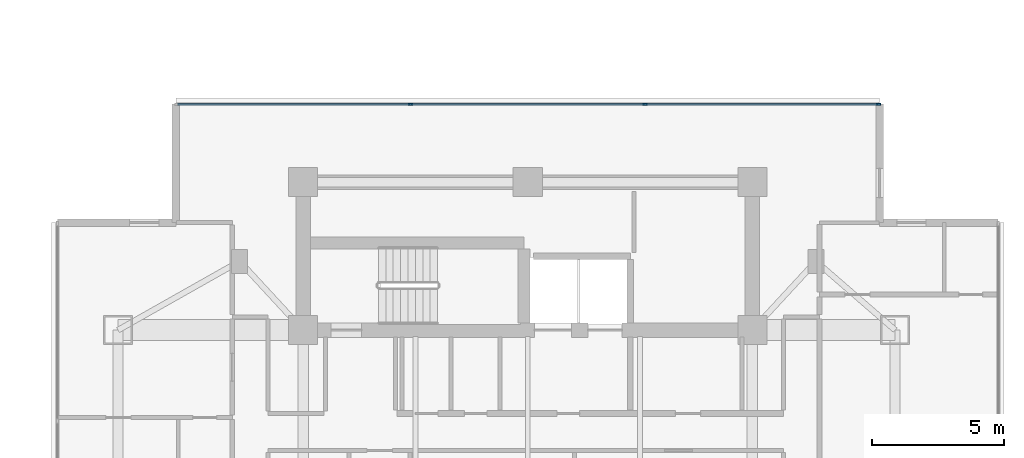
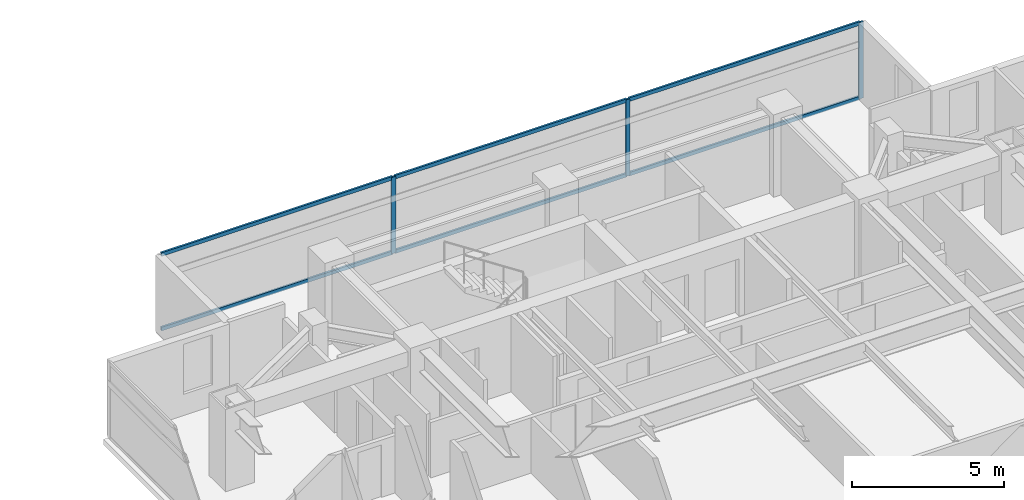
# One storey, part 11 of 25: 9 members, 1 element without a shape of its own.
"""IFC4 building model written with IfcOpenShell, lengths in metres."""

from ifc_helpers import new_model, si_unit, direction, frame, origin, origin_2d, place, context, subcontext, project, spatial, rectangle, extrude, material, material_profile, profile_set, type_object, element, aggregate, save


model = new_model("IFC4")

# Units and contexts
model_context = context("Model", 3, precision=1e-05, world=origin(), true_north=direction((0.0, 1.0)))
body_context = subcontext(model_context, "Body", "Model", "MODEL_VIEW")
ifc_project = project(units=[si_unit("LENGTHUNIT", "METRE"), si_unit("AREAUNIT", "SQUARE_METRE"), si_unit("VOLUMEUNIT", "CUBIC_METRE"), si_unit("PLANEANGLEUNIT", "RADIAN"), si_unit("MASSUNIT", "GRAM", prefix="KILO")], contexts=[model_context])

# Site, building, storey
site_placement = place(None, origin())
site = spatial("IfcSite", under=ifc_project, at=site_placement, CompositionType="ELEMENT")
building_placement = place(site_placement, origin())
building = spatial("IfcBuilding", under=site, at=building_placement, Name="Mirazonda Arch Towers", CompositionType="ELEMENT")
storey_placement = place(building_placement, frame((0.0, 0.0, 131.300048828125)))
storey = spatial("IfcBuildingStorey", under=building, at=storey_placement, Name="L37", CompositionType="ELEMENT", Elevation=131.300048828125)

# Curtain wall, members
ifc_material_1 = material(Name="Anodised Aluminium and Low-E Glass", Category="aluminium")
curtain_wall_type = type_object("IfcCurtainWallType", Name="CW-HTL-UNIT", PredefinedType="NOTDEFINED", material=ifc_material_1)
curtain_wall_placement = place(storey_placement, origin())
curtain_wall = element("IfcCurtainWall", 1, at=curtain_wall_placement, inside=storey, type_object=curtain_wall_type, Name="L37 T2 N Facade CW-L37-T2-N", PredefinedType="NOTDEFINED")
ifc_material_2 = material(Name="Anodised Aluminium Alloy", Category="aluminium")
ifc_material_profile_1 = material_profile(ifc_material_2, rectangle(XDim=0.074951171875, YDim=0.1650390625, at=origin_2d()), Name="ALU-MULL-75x165")
ifc_profile_set_1 = profile_set([ifc_material_profile_1], Name="Anodised Aluminium Alloy")
member_type_1 = type_object("IfcMemberType", Name="MULL-CW-HTL-UNIT", PredefinedType="MULLION", material=ifc_profile_set_1)
member_1_placement = place(storey_placement, frame((72.063232421875, 43.752197265625, 0.0), z_axis=(0.0, 0.0, 1.0), x_axis=(0.0, 1.0, 0.0)))
member_1 = element("IfcMember", 2, at=member_1_placement, type_object=member_type_1, Name="CW-112 mullion 2", PredefinedType="MULLION", context=body_context, shape_type="SweptSolid", body=[
    extrude(rectangle(XDim=0.074951171875, YDim=0.1650390625, at=origin_2d()), origin(), (0.0, 0.0, 1.0), 3.06005859375),
])
member_2_placement = place(storey_placement, frame((80.936767578125, 43.752197265625, 0.0), z_axis=(0.0, 0.0, 1.0), x_axis=(0.0, 1.0, 0.0)))
member_2 = element("IfcMember", 3, at=member_2_placement, type_object=member_type_1, Name="CW-112 mullion 3", PredefinedType="MULLION", context=body_context, shape_type="SweptSolid", body=[
    extrude(rectangle(XDim=0.074951171875, YDim=0.1650390625, at=origin_2d()), origin(), (0.0, 0.0, 1.0), 3.06005859375),
])
member_3_placement = place(storey_placement, frame((89.77294921875, 43.752197265625, 0.0), z_axis=(0.0, 0.0, 1.0), x_axis=(0.0, 1.0, 0.0)))
member_3 = element("IfcMember", 4, at=member_3_placement, type_object=member_type_1, Name="CW-112 mullion 4", PredefinedType="MULLION", context=body_context, shape_type="SweptSolid", body=[
    extrude(rectangle(XDim=0.074951171875, YDim=0.1650390625, at=origin_2d()), origin(), (0.0, 0.0, 1.0), 3.06005859375),
])
ifc_material_profile_2 = material_profile(ifc_material_2, rectangle(XDim=0.074951171875, YDim=0.14501953125, at=origin_2d()), Name="ALU-TRAN-75x145")
ifc_profile_set_2 = profile_set([ifc_material_profile_2], Name="Anodised Aluminium Alloy")
member_type_2 = type_object("IfcMemberType", Name="TRAN-CW-HTL-UNIT", PredefinedType="USERDEFINED", material=ifc_profile_set_2)
member_4_placement = place(storey_placement, frame((63.264404296875, 43.752197265625, 0.037353515625), z_axis=(1.0, 0.0, 0.0), x_axis=(0.0, 1.0, 0.0)))
member_4 = element("IfcMember", 5, at=member_4_placement, type_object=member_type_2, Name="CW-112 transom 1.1", ObjectType="TRANSOM", PredefinedType="USERDEFINED", context=body_context, shape_type="SweptSolid", body=[
    extrude(rectangle(XDim=0.074951171875, YDim=0.14501953125, at=origin_2d()), origin(), (0.0, 0.0, 1.0), 8.76123046875),
])
member_5_placement = place(storey_placement, frame((63.264404296875, 43.752197265625, 3.0224609375), z_axis=(1.0, 0.0, 0.0), x_axis=(0.0, 1.0, 0.0)))
member_5 = element("IfcMember", 6, at=member_5_placement, type_object=member_type_2, Name="CW-112 transom 1.2", ObjectType="TRANSOM", PredefinedType="USERDEFINED", context=body_context, shape_type="SweptSolid", body=[
    extrude(rectangle(XDim=0.074951171875, YDim=0.14501953125, at=origin_2d()), origin(), (0.0, 0.0, 1.0), 8.76123046875),
])
member_6_placement = place(storey_placement, frame((72.1005859375, 43.752197265625, 0.037353515625), z_axis=(1.0, 0.0, 0.0), x_axis=(0.0, 1.0, 0.0)))
member_6 = element("IfcMember", 7, at=member_6_placement, type_object=member_type_2, Name="CW-112 transom 2.1", ObjectType="TRANSOM", PredefinedType="USERDEFINED", context=body_context, shape_type="SweptSolid", body=[
    extrude(rectangle(XDim=0.074951171875, YDim=0.14501953125, at=origin_2d()), origin(), (0.0, 0.0, 1.0), 8.798828125),
])
member_7_placement = place(storey_placement, frame((72.1005859375, 43.752197265625, 3.0224609375), z_axis=(1.0, 0.0, 0.0), x_axis=(0.0, 1.0, 0.0)))
member_7 = element("IfcMember", 8, at=member_7_placement, type_object=member_type_2, Name="CW-112 transom 2.2", ObjectType="TRANSOM", PredefinedType="USERDEFINED", context=body_context, shape_type="SweptSolid", body=[
    extrude(rectangle(XDim=0.074951171875, YDim=0.14501953125, at=origin_2d()), origin(), (0.0, 0.0, 1.0), 8.798828125),
])
member_8_placement = place(storey_placement, frame((80.974365234375, 43.752197265625, 0.037353515625), z_axis=(1.0, 0.0, 0.0), x_axis=(0.0, 1.0, 0.0)))
member_8 = element("IfcMember", 9, at=member_8_placement, type_object=member_type_2, Name="CW-112 transom 3.1", ObjectType="TRANSOM", PredefinedType="USERDEFINED", context=body_context, shape_type="SweptSolid", body=[
    extrude(rectangle(XDim=0.074951171875, YDim=0.14501953125, at=origin_2d()), origin(), (0.0, 0.0, 1.0), 8.76123046875),
])
member_9_placement = place(storey_placement, frame((80.974365234375, 43.752197265625, 3.0224609375), z_axis=(1.0, 0.0, 0.0), x_axis=(0.0, 1.0, 0.0)))
member_9 = element("IfcMember", 10, at=member_9_placement, type_object=member_type_2, Name="CW-112 transom 3.2", ObjectType="TRANSOM", PredefinedType="USERDEFINED", context=body_context, shape_type="SweptSolid", body=[
    extrude(rectangle(XDim=0.074951171875, YDim=0.14501953125, at=origin_2d()), origin(), (0.0, 0.0, 1.0), 8.76123046875),
])
aggregate(curtain_wall, [member_1, member_2, member_3, member_4, member_5, member_6, member_7, member_8, member_9])

save(model, "model.ifc")
